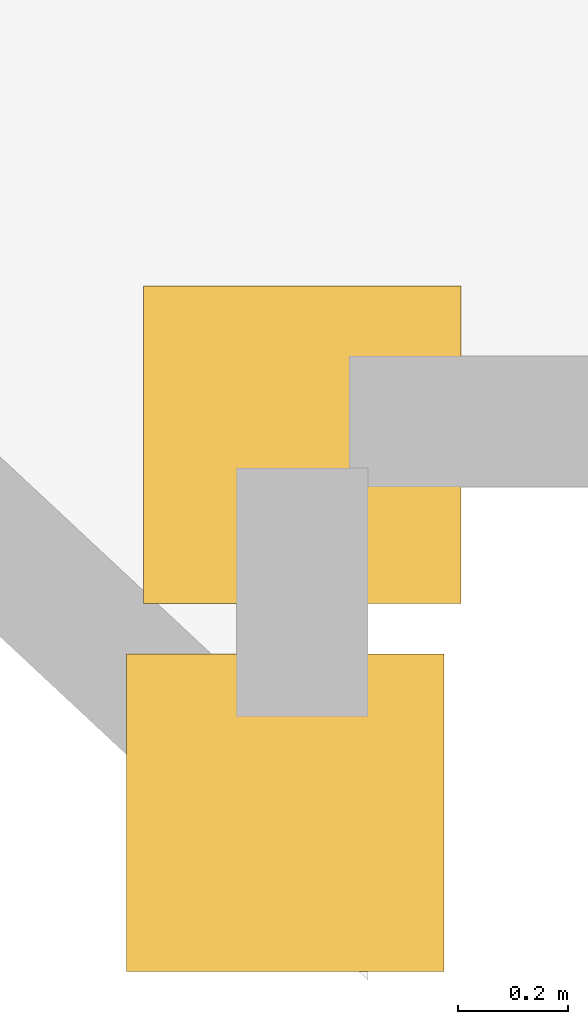
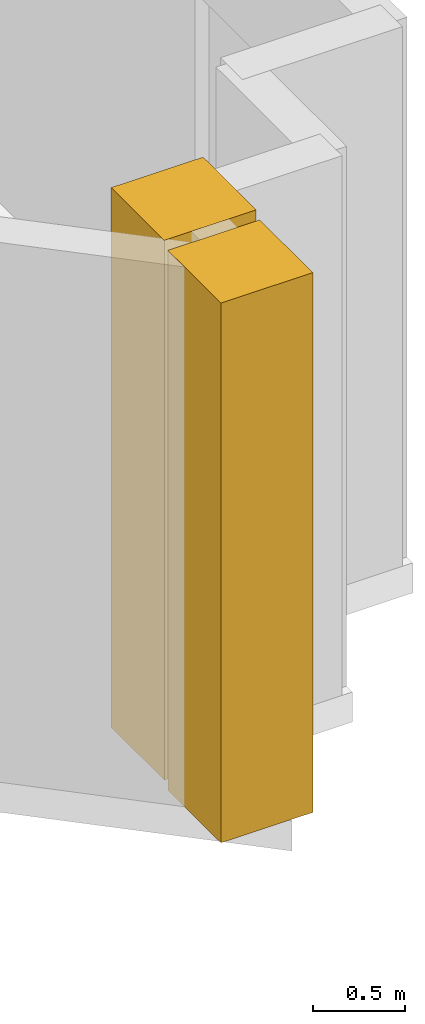
# One storey, part 15 of 15: 2 coverings.
"""IFC4 building model written with IfcOpenShell, lengths in metres."""

from ifc_helpers import new_model, si_unit, direction, frame, origin, origin_2d, place, context, subcontext, project, spatial, rectangle, extrude, material, layer, layer_set, type_object, element, save


model = new_model("IFC4")

# Units and contexts
model_context = context("Model", 3, precision=1e-05, world=origin(), true_north=direction((0.0, 1.0)))
body_context = subcontext(model_context, "Body", "Model", "MODEL_VIEW")
ifc_project = project(units=[si_unit("LENGTHUNIT", "METRE"), si_unit("AREAUNIT", "SQUARE_METRE"), si_unit("VOLUMEUNIT", "CUBIC_METRE"), si_unit("PLANEANGLEUNIT", "RADIAN"), si_unit("MASSUNIT", "GRAM", prefix="KILO")], contexts=[model_context])

# Site, building, storey
site_placement = place(None, origin())
site = spatial("IfcSite", under=ifc_project, at=site_placement, CompositionType="ELEMENT")
building_placement = place(site_placement, origin())
building = spatial("IfcBuilding", under=site, at=building_placement, Name="Haolan Belvedere Tower", CompositionType="ELEMENT")
storey_placement = place(building_placement, frame((0.0, 0.0, 66.60009765625)))
storey = spatial("IfcBuildingStorey", under=building, at=storey_placement, Name="L16", CompositionType="ELEMENT", Elevation=66.60009765625)

# Coverings
ifc_material = material(Name="Pale champagne-silver anodised aluminium rainscreen cladding", Category="aluminium")
ifc_layer = layer(ifc_material, 0.034912109375, Name="Pale champagne-silver anodised aluminium rainscreen cladding")
ifc_layer_set = layer_set([ifc_layer], Name="Pale champagne-silver anodised aluminium rainscreen cladding")
covering_type = type_object("IfcCoveringType", Name="COV-CLAD-35", PredefinedType="CLADDING", material=ifc_layer_set)
for number, where, z_axis, x_axis, name in (
    (1, (73.64892578125, 6.30517578125, -0.000244140625), (0.0, 0.0, 1.0), (1.0, 0.0, 0.0), "L16 pale-metal serrated corner cladding trim 5"),
    (2, (73.679931640625, 6.9775390625, -0.000244140625), (0.0, 0.0, 1.0), (1.0, 0.0, 0.0), "L16 pale-metal serrated corner cladding trim 6"),
):
    element("IfcCovering", number, at=place(storey_placement, frame(where, z_axis=z_axis, x_axis=x_axis)), inside=storey, type_object=covering_type, Name=name, PredefinedType="CLADDING", context=body_context, shape_type="SweptSolid", body=[
        extrude(rectangle(XDim=0.580078125, YDim=0.580078125, at=origin_2d()), origin(), (0.0, 0.0, 1.0), 3.60009765625),
    ])

save(model, "model.ifc")
